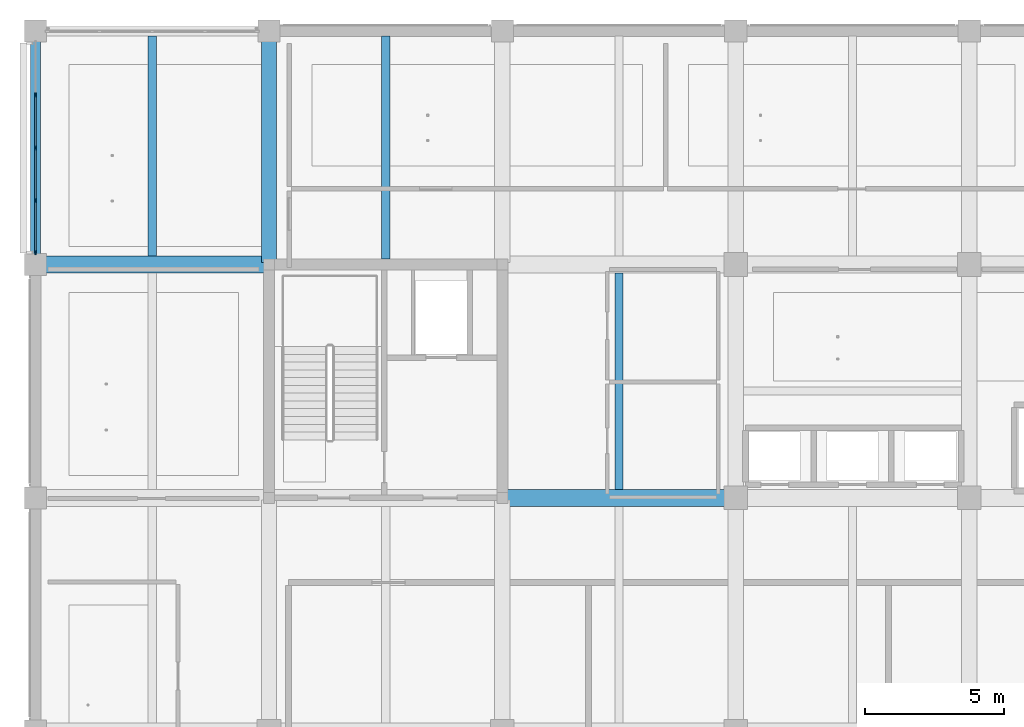
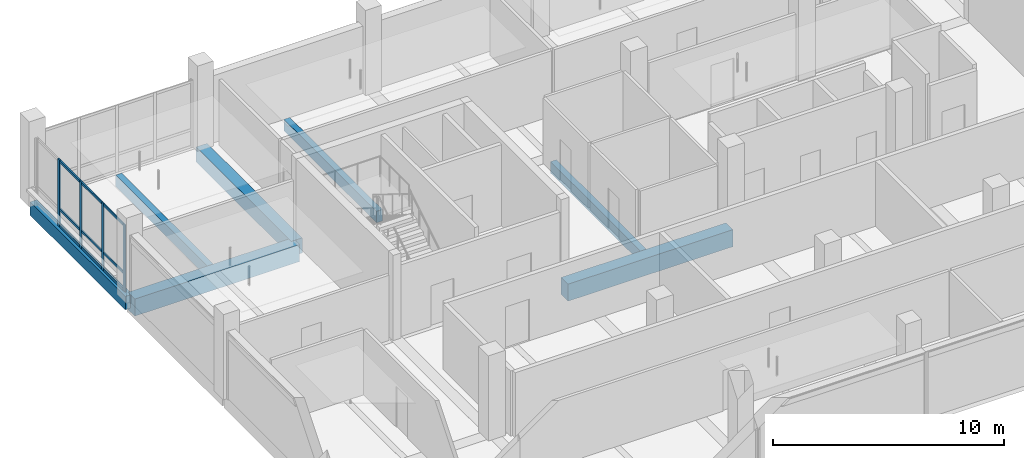
# One storey, part 4 of 35: 13 members, 7 beams, 1 element without a shape of its own.
"""IFC4 building model written with IfcOpenShell, lengths in metres."""

from ifc_helpers import new_model, si_unit, direction, frame, origin, origin_2d, place, context, subcontext, project, spatial, rectangle, extrude, material, layer, layer_set, material_profile, profile_set, type_object, element, aggregate, save


model = new_model("IFC4")

# Units and contexts
model_context = context("Model", 3, precision=1e-05, world=origin(), true_north=direction((0.0, 1.0)))
body_context = subcontext(model_context, "Body", "Model", "MODEL_VIEW")
ifc_project = project(units=[si_unit("LENGTHUNIT", "METRE"), si_unit("AREAUNIT", "SQUARE_METRE"), si_unit("VOLUMEUNIT", "CUBIC_METRE"), si_unit("PLANEANGLEUNIT", "RADIAN"), si_unit("MASSUNIT", "GRAM", prefix="KILO")], contexts=[model_context])

# Site, building, storey
site_placement = place(None, origin())
site = spatial("IfcSite", under=ifc_project, at=site_placement, CompositionType="ELEMENT")
building_placement = place(site_placement, origin())
building = spatial("IfcBuilding", under=site, at=building_placement, Name="Telukmera Botanical Conservatory", CompositionType="ELEMENT")
storey_placement = place(building_placement, frame((0.0, 0.0, 28.5)))
storey = spatial("IfcBuildingStorey", under=building, at=storey_placement, Name="L06", CompositionType="ELEMENT", Elevation=28.5)

# Beams
ifc_material_1 = material(Name="Concrete C40/50", Category="concrete")
ifc_material_profile_1 = material_profile(ifc_material_1, rectangle(XDim=0.550048828125, YDim=0.800048828125, at=origin_2d()), Name="RC 550x800")
ifc_profile_set_1 = profile_set([ifc_material_profile_1], Name="Concrete C40/50")
beam_type_1 = type_object("IfcBeamType", Name="Beam_B12", PredefinedType="BEAM", material=ifc_profile_set_1)
beam_1_placement = place(storey_placement, frame((58.800048828125, 34.47998046875, -0.39990234375), z_axis=(0.0, 1.0, 0.0), x_axis=(-1.0, 0.0, 0.0)))
element("IfcBeam", 1, at=beam_1_placement, inside=storey, type_object=beam_type_1, Name="Tower Transverse Beam L06", PredefinedType="BEAM", context=body_context, shape_type="SweptSolid", body=[
    extrude(rectangle(XDim=0.550048828125, YDim=0.800048828125, at=origin_2d()), origin(), (0.0, 0.0, 1.0), 8.239990234375),
])
ifc_material_profile_2 = material_profile(ifc_material_1, rectangle(XDim=0.300048828125, YDim=0.60009765625, at=origin_2d()), Name="RC 300x600")
ifc_profile_set_2 = profile_set([ifc_material_profile_2], Name="Concrete C40/50")
beam_type_2 = type_object("IfcBeamType", Name="Beam_B23", PredefinedType="JOIST", material=ifc_profile_set_2)
beam_2_placement = place(storey_placement, frame((54.60009765625, 34.699951171875, -0.300048828125), z_axis=(0.0, 1.0, 0.0), x_axis=(-1.0, 0.0, 0.0)))
element("IfcBeam", 2, at=beam_2_placement, inside=storey, type_object=beam_type_2, Name="Tower Secondary Floor Joist L06", PredefinedType="JOIST", context=body_context, shape_type="SweptSolid", body=[
    extrude(rectangle(XDim=0.300048828125, YDim=0.60009765625, at=origin_2d()), origin(), (0.0, 0.0, 1.0), 7.925048828125),
])
beam_3_placement = place(storey_placement, frame((63.0, 34.60009765625, -0.300048828125), z_axis=(0.0, 1.0, 0.0), x_axis=(-1.0, 0.0, 0.0)))
element("IfcBeam", 3, at=beam_3_placement, inside=storey, type_object=beam_type_2, Name="Tower Secondary Floor Joist L06", PredefinedType="JOIST", context=body_context, shape_type="SweptSolid", body=[
    extrude(rectangle(XDim=0.300048828125, YDim=0.60009765625, at=origin_2d()), origin(), (0.0, 0.0, 1.0), 8.02490234375),
])
beam_4_placement = place(storey_placement, frame((71.39990234375, 26.300048828125, -0.300048828125), z_axis=(0.0, 1.0, 0.0), x_axis=(-1.0, 0.0, 0.0)))
element("IfcBeam", 4, at=beam_4_placement, inside=storey, type_object=beam_type_2, Name="Tower Secondary Floor Joist L06", PredefinedType="JOIST", context=body_context, shape_type="SweptSolid", body=[
    extrude(rectangle(XDim=0.300048828125, YDim=0.60009765625, at=origin_2d()), origin(), (0.0, 0.0, 1.0), 7.800048828125),
])
ifc_material_profile_3 = material_profile(ifc_material_1, rectangle(XDim=0.60009765625, YDim=0.89990234375, at=origin_2d()), Name="RC 600x900")
ifc_profile_set_3 = profile_set([ifc_material_profile_3], Name="Concrete C40/50")
beam_type_3 = type_object("IfcBeamType", Name="Beam_B3", PredefinedType="BEAM", material=ifc_profile_set_3)
for number, where, z_axis, x_axis, name in (
    (5, (67.280029296875, 26.0, -0.449951171875), (1.0, 0.0, 0.0), (0.0, 1.0, 0.0), "Tower Grid Beam L06"),
    (6, (50.47998046875, 34.39990234375, -0.449951171875), (1.0, 0.0, 0.0), (0.0, 1.0, 0.0), "Tower Grid Beam L06"),
):
    element("IfcBeam", number, at=place(storey_placement, frame(where, z_axis=z_axis, x_axis=x_axis)), inside=storey, type_object=beam_type_3, Name=name, PredefinedType="BEAM", context=body_context, shape_type="SweptSolid", body=[
        extrude(rectangle(XDim=0.60009765625, YDim=0.89990234375, at=origin_2d()), origin(), (0.0, 0.0, 1.0), 8.239990234375),
    ])
ifc_material_2 = material(Name="Precast concrete C40/50", Category="concrete")
ifc_material_profile_4 = material_profile(ifc_material_2, rectangle(XDim=0.35009765625, YDim=0.699951171875, at=origin_2d()), Name="PC 350x700")
ifc_profile_set_4 = profile_set([ifc_material_profile_4], Name="Precast concrete C40/50")
beam_type_4 = type_object("IfcBeamType", Name="Beam_SP2", PredefinedType="SPANDREL", material=ifc_profile_set_4)
beam_5_placement = place(storey_placement, frame((50.39990234375, 34.47998046875, -0.35009765625), z_axis=(0.0, 1.0, 0.0), x_axis=(-1.0, 0.0, 0.0)))
element("IfcBeam", 7, at=beam_5_placement, inside=storey, type_object=beam_type_4, Name="Tower Transverse Beam L06", PredefinedType="SPANDREL", context=body_context, shape_type="SweptSolid", body=[
    extrude(rectangle(XDim=0.35009765625, YDim=0.699951171875, at=origin_2d()), origin(), (0.0, 0.0, 1.0), 8.239990234375),
])

# Curtain wall, members
ifc_material_3 = material(Name="Anodised aluminium 6063-T6", Category="aluminium")
ifc_layer = layer(ifc_material_3, 0.179931640625)
ifc_layer_set = layer_set([ifc_layer], Name="Anodised aluminium 6063-T6")
curtain_wall_type = type_object("IfcCurtainWallType", Name="Tower Herbarium Curation Corner Curtain Wall", PredefinedType="USERDEFINED", material=ifc_layer_set)
curtain_wall_placement = place(storey_placement, origin())
curtain_wall = element("IfcCurtainWall", 8, at=curtain_wall_placement, inside=storey, type_object=curtain_wall_type, Name="Unitised Curtain Wall CW14 V4:L06:W4", ObjectType="UNITISED CURTAIN WALL", PredefinedType="USERDEFINED")
ifc_material_profile_5 = material_profile(ifc_material_3, rectangle(XDim=0.06494140625, YDim=0.159912109375, at=origin_2d()), Name="ALU MULL 65x160")
ifc_profile_set_5 = profile_set([ifc_material_profile_5], Name="Anodised aluminium 6063-T6")
member_type_1 = type_object("IfcMemberType", Name="Curtain Wall Extruded Mullion 65x160", PredefinedType="MULLION", material=ifc_profile_set_5)
member_1_placement = place(storey_placement, frame((50.39990234375, 34.83447265625, 0.0), z_axis=(0.0, 0.0, 1.0), x_axis=(-1.0, 0.0, 0.0)))
member_1 = element("IfcMember", 9, at=member_1_placement, type_object=member_type_1, Name="CW14 mullion 1", PredefinedType="MULLION", context=body_context, shape_type="SweptSolid", body=[
    extrude(rectangle(XDim=0.06494140625, YDim=0.159912109375, at=origin_2d()), origin(), (0.0, 0.0, 1.0), 3.550048828125),
])
member_2_placement = place(storey_placement, frame((50.39990234375, 36.700927734375, 0.0), z_axis=(0.0, 0.0, 1.0), x_axis=(-1.0, 0.0, 0.0)))
member_2 = element("IfcMember", 10, at=member_2_placement, type_object=member_type_1, Name="CW14 mullion 2", PredefinedType="MULLION", context=body_context, shape_type="SweptSolid", body=[
    extrude(rectangle(XDim=0.06494140625, YDim=0.159912109375, at=origin_2d()), origin(), (0.0, 0.0, 1.0), 3.550048828125),
])
member_3_placement = place(storey_placement, frame((50.39990234375, 38.60009765625, 0.0), z_axis=(0.0, 0.0, 1.0), x_axis=(-1.0, 0.0, 0.0)))
member_3 = element("IfcMember", 11, at=member_3_placement, type_object=member_type_1, Name="CW14 mullion 3", PredefinedType="MULLION", context=body_context, shape_type="SweptSolid", body=[
    extrude(rectangle(XDim=0.06494140625, YDim=0.159912109375, at=origin_2d()), origin(), (0.0, 0.0, 1.0), 3.550048828125),
])
member_4_placement = place(storey_placement, frame((50.39990234375, 40.4990234375, 0.0), z_axis=(0.0, 0.0, 1.0), x_axis=(-1.0, 0.0, 0.0)))
member_4 = element("IfcMember", 12, at=member_4_placement, type_object=member_type_1, Name="CW14 mullion 4", PredefinedType="MULLION", context=body_context, shape_type="SweptSolid", body=[
    extrude(rectangle(XDim=0.06494140625, YDim=0.159912109375, at=origin_2d()), origin(), (0.0, 0.0, 1.0), 3.550048828125),
])
ifc_material_profile_6 = material_profile(ifc_material_3, rectangle(XDim=0.06494140625, YDim=0.1298828125, at=origin_2d()), Name="ALU TRAN 65x130")
ifc_profile_set_6 = profile_set([ifc_material_profile_6], Name="Anodised aluminium 6063-T6")
member_type_2 = type_object("IfcMemberType", Name="Curtain Wall Extruded Transom 65x130", PredefinedType="USERDEFINED", material=ifc_profile_set_6)
member_5_placement = place(storey_placement, frame((50.39990234375, 34.866943359375, 0.06494140625), z_axis=(0.0, 1.0, 0.0), x_axis=(-1.0, 0.0, 0.0)))
member_5 = element("IfcMember", 13, at=member_5_placement, type_object=member_type_2, Name="CW14 transom 1.1", ObjectType="TRANSOM", PredefinedType="USERDEFINED", context=body_context, shape_type="SweptSolid", body=[
    extrude(rectangle(XDim=0.06494140625, YDim=0.1298828125, at=origin_2d()), origin(), (0.0, 0.0, 1.0), 1.801513671875),
])
member_6_placement = place(storey_placement, frame((50.39990234375, 34.866943359375, 0.949951171875), z_axis=(0.0, 1.0, 0.0), x_axis=(-1.0, 0.0, 0.0)))
member_6 = element("IfcMember", 14, at=member_6_placement, type_object=member_type_2, Name="CW14 transom 1.2", ObjectType="TRANSOM", PredefinedType="USERDEFINED", context=body_context, shape_type="SweptSolid", body=[
    extrude(rectangle(XDim=0.06494140625, YDim=0.1298828125, at=origin_2d()), origin(), (0.0, 0.0, 1.0), 1.801513671875),
])
member_7_placement = place(storey_placement, frame((50.39990234375, 34.866943359375, 3.485107421875), z_axis=(0.0, 1.0, 0.0), x_axis=(-1.0, 0.0, 0.0)))
member_7 = element("IfcMember", 15, at=member_7_placement, type_object=member_type_2, Name="CW14 transom 1.3", ObjectType="TRANSOM", PredefinedType="USERDEFINED", context=body_context, shape_type="SweptSolid", body=[
    extrude(rectangle(XDim=0.06494140625, YDim=0.1298828125, at=origin_2d()), origin(), (0.0, 0.0, 1.0), 1.801513671875),
])
member_8_placement = place(storey_placement, frame((50.39990234375, 36.7333984375, 0.06494140625), z_axis=(0.0, 1.0, 0.0), x_axis=(-1.0, 0.0, 0.0)))
member_8 = element("IfcMember", 16, at=member_8_placement, type_object=member_type_2, Name="CW14 transom 2.1", ObjectType="TRANSOM", PredefinedType="USERDEFINED", context=body_context, shape_type="SweptSolid", body=[
    extrude(rectangle(XDim=0.06494140625, YDim=0.1298828125, at=origin_2d()), origin(), (0.0, 0.0, 1.0), 1.833984375),
])
member_9_placement = place(storey_placement, frame((50.39990234375, 36.7333984375, 0.949951171875), z_axis=(0.0, 1.0, 0.0), x_axis=(-1.0, 0.0, 0.0)))
member_9 = element("IfcMember", 17, at=member_9_placement, type_object=member_type_2, Name="CW14 transom 2.2", ObjectType="TRANSOM", PredefinedType="USERDEFINED", context=body_context, shape_type="SweptSolid", body=[
    extrude(rectangle(XDim=0.06494140625, YDim=0.1298828125, at=origin_2d()), origin(), (0.0, 0.0, 1.0), 1.833984375),
])
member_10_placement = place(storey_placement, frame((50.39990234375, 36.7333984375, 3.485107421875), z_axis=(0.0, 1.0, 0.0), x_axis=(-1.0, 0.0, 0.0)))
member_10 = element("IfcMember", 18, at=member_10_placement, type_object=member_type_2, Name="CW14 transom 2.3", ObjectType="TRANSOM", PredefinedType="USERDEFINED", context=body_context, shape_type="SweptSolid", body=[
    extrude(rectangle(XDim=0.06494140625, YDim=0.1298828125, at=origin_2d()), origin(), (0.0, 0.0, 1.0), 1.833984375),
])
member_11_placement = place(storey_placement, frame((50.39990234375, 38.632568359375, 0.06494140625), z_axis=(0.0, 1.0, 0.0), x_axis=(-1.0, 0.0, 0.0)))
member_11 = element("IfcMember", 19, at=member_11_placement, type_object=member_type_2, Name="CW14 transom 3.1", ObjectType="TRANSOM", PredefinedType="USERDEFINED", context=body_context, shape_type="SweptSolid", body=[
    extrude(rectangle(XDim=0.06494140625, YDim=0.1298828125, at=origin_2d()), origin(), (0.0, 0.0, 1.0), 1.833984375),
])
member_12_placement = place(storey_placement, frame((50.39990234375, 38.632568359375, 0.949951171875), z_axis=(0.0, 1.0, 0.0), x_axis=(-1.0, 0.0, 0.0)))
member_12 = element("IfcMember", 20, at=member_12_placement, type_object=member_type_2, Name="CW14 transom 3.2", ObjectType="TRANSOM", PredefinedType="USERDEFINED", context=body_context, shape_type="SweptSolid", body=[
    extrude(rectangle(XDim=0.06494140625, YDim=0.1298828125, at=origin_2d()), origin(), (0.0, 0.0, 1.0), 1.833984375),
])
member_13_placement = place(storey_placement, frame((50.39990234375, 38.632568359375, 3.485107421875), z_axis=(0.0, 1.0, 0.0), x_axis=(-1.0, 0.0, 0.0)))
member_13 = element("IfcMember", 21, at=member_13_placement, type_object=member_type_2, Name="CW14 transom 3.3", ObjectType="TRANSOM", PredefinedType="USERDEFINED", context=body_context, shape_type="SweptSolid", body=[
    extrude(rectangle(XDim=0.06494140625, YDim=0.1298828125, at=origin_2d()), origin(), (0.0, 0.0, 1.0), 1.833984375),
])
aggregate(curtain_wall, [member_1, member_2, member_3, member_4, member_5, member_6, member_7, member_8, member_9, member_10, member_11, member_12, member_13])

save(model, "model.ifc")
